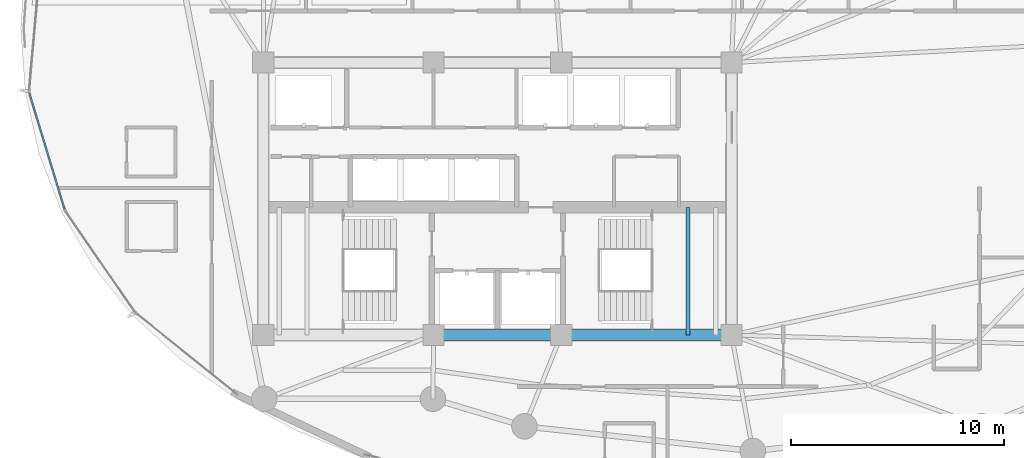
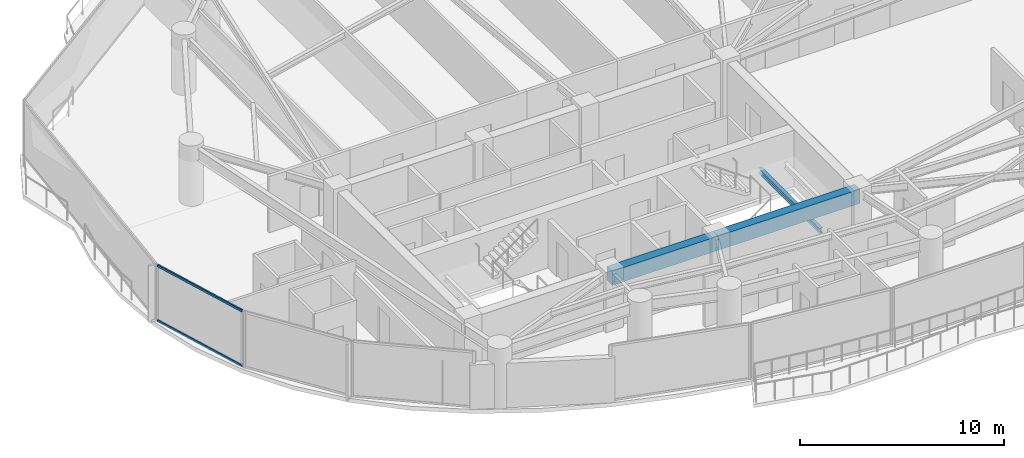
# One storey, part 7 of 33: 3 beams, 2 members, 1 element without a shape of its own.
"""IFC4 building model written with IfcOpenShell, lengths in metres."""

from ifc_helpers import new_model, si_unit, direction, frame, origin, origin_2d, place, context, subcontext, project, spatial, rectangle, hollow_rectangle, i_section, extrude, material, layer, layer_set, material_profile, profile_set, type_object, element, aggregate, save


model = new_model("IFC4")

# Units and contexts
model_context = context("Model", 3, precision=1e-05, world=origin(), true_north=direction((0.0, 1.0)))
body_context = subcontext(model_context, "Body", "Model", "MODEL_VIEW")
ifc_project = project(units=[si_unit("LENGTHUNIT", "METRE"), si_unit("AREAUNIT", "SQUARE_METRE"), si_unit("VOLUMEUNIT", "CUBIC_METRE"), si_unit("PLANEANGLEUNIT", "RADIAN"), si_unit("MASSUNIT", "GRAM", prefix="KILO")], contexts=[model_context])

# Site, building, storey
site_placement = place(None, origin())
site = spatial("IfcSite", under=ifc_project, at=site_placement, CompositionType="ELEMENT")
building_placement = place(site_placement, origin())
building = spatial("IfcBuilding", under=site, at=building_placement, Name="Kazevale Care Tower and Concert Hall", CompositionType="ELEMENT")
storey_placement = place(building_placement, frame((0.0, 0.0, 149.39990234375)))
storey = spatial("IfcBuildingStorey", under=building, at=storey_placement, Name="L39", CompositionType="ELEMENT", Elevation=149.39990234375)

# Curtain wall, members
ifc_material_1 = material(Name="Aluminium 6063-T6 and Low-E Glass", Category="aluminium")
ifc_layer = layer(ifc_material_1, 0.179931640625)
ifc_layer_set = layer_set([ifc_layer], Name="Aluminium 6063-T6 and Low-E Glass")
curtain_wall_type = type_object("IfcCurtainWallType", Name="Waist & Upper Residential Curtain Wall CW-4", PredefinedType="NOTDEFINED", material=ifc_layer_set)
curtain_wall_placement = place(storey_placement, origin())
curtain_wall = element("IfcCurtainWall", 1, at=curtain_wall_placement, inside=storey, type_object=curtain_wall_type, Name="cw:L39:f12", PredefinedType="NOTDEFINED")
ifc_material_2 = material(Name="Aluminium 6063-T6", Category="aluminium")
ifc_material_profile_1 = material_profile(ifc_material_2, hollow_rectangle(XDim=0.080078125, YDim=0.139892578125, WallThickness=0.00390625, at=origin_2d()), Name="ALU80x140x4")
ifc_profile_set_1 = profile_set([ifc_material_profile_1], Name="Aluminium 6063-T6")
member_type = type_object("IfcMemberType", Name="CW-4 Transom ALU80x140x4", PredefinedType="USERDEFINED", material=ifc_profile_set_1)
member_1_placement = place(storey_placement, frame((12.669677734375, 29.517578125, 0.0400390625), z_axis=(-0.290964759976, 0.956733770937, 0.0), x_axis=(-0.956733770937, -0.290964759976, 0.0)))
member_1 = element("IfcMember", 2, at=member_1_placement, type_object=member_type, Name="CW-4 transom 1.1", ObjectType="TRANSOM", PredefinedType="USERDEFINED", context=body_context, shape_type="SweptSolid", body=[
    extrude(hollow_rectangle(XDim=0.080078125, YDim=0.139892578125, WallThickness=0.00390625, at=origin_2d()), origin(), (0.0, 0.0, 1.0), 5.675537109375),
])
member_2_placement = place(storey_placement, frame((12.669677734375, 29.517578125, 3.320068359375), z_axis=(-0.290964759976, 0.956733770937, 0.0), x_axis=(-0.956733770937, -0.290964759976, 0.0)))
member_2 = element("IfcMember", 3, at=member_2_placement, type_object=member_type, Name="CW-4 transom 1.2", ObjectType="TRANSOM", PredefinedType="USERDEFINED", context=body_context, shape_type="SweptSolid", body=[
    extrude(hollow_rectangle(XDim=0.080078125, YDim=0.139892578125, WallThickness=0.00390625, at=origin_2d()), origin(), (0.0, 0.0, 1.0), 5.675537109375),
])
aggregate(curtain_wall, [member_1, member_2])

# Beams
ifc_material_3 = material(Name="Concrete C60", Category="concrete")
ifc_material_profile_2 = material_profile(ifc_material_3, rectangle(XDim=0.5, YDim=0.85009765625, at=origin_2d()), Name="RC-B500x850")
ifc_profile_set_2 = profile_set([ifc_material_profile_2], Name="Concrete C60")
beam_type_1 = type_object("IfcBeamType", Name="Core Coupling Beam RC500x850", PredefinedType="LINTEL", material=ifc_profile_set_2)
beam_1_placement = place(storey_placement, frame((30.0, 23.60009765625, 2.93505859375), z_axis=(1.0, 0.0, 0.0), x_axis=(0.0, 1.0, 0.0)))
element("IfcBeam", 4, at=beam_1_placement, inside=storey, type_object=beam_type_1, Name="beam:L39:coretie:2", PredefinedType="LINTEL", context=body_context, shape_type="SweptSolid", body=[
    extrude(rectangle(XDim=0.5, YDim=0.85009765625, at=origin_2d()), origin(), (0.0, 0.0, 1.0), 6.0),
])
beam_2_placement = place(storey_placement, frame((36.0, 23.60009765625, 2.93505859375), z_axis=(1.0, 0.0, 0.0), x_axis=(0.0, 1.0, 0.0)))
element("IfcBeam", 5, at=beam_2_placement, inside=storey, type_object=beam_type_1, Name="beam:L39:coretie:3", PredefinedType="LINTEL", context=body_context, shape_type="SweptSolid", body=[
    extrude(rectangle(XDim=0.5, YDim=0.85009765625, at=origin_2d()), origin(), (0.0, 0.0, 1.0), 8.0),
])
ifc_material_4 = material(Name="Steel ASTM A572 Gr 50", Category="steel")
ifc_material_profile_3 = material_profile(ifc_material_4, i_section(OverallWidth=0.202880859375, OverallDepth=0.302978515625, WebThickness=0.007568359375, FlangeThickness=0.01318359375, at=origin_2d()), Name="W310x60")
ifc_profile_set_3 = profile_set([ifc_material_profile_3], Name="Steel ASTM A572 Gr 50")
beam_type_2 = type_object("IfcBeamType", Name="Stair & Balcony Trimmer W310x60", PredefinedType="BEAM", material=ifc_profile_set_3)
beam_3_placement = place(storey_placement, frame((41.949951171875, 23.60009765625, 1.448486328125), z_axis=(0.0, 1.0, 0.0), x_axis=(-1.0, 0.0, 0.0)))
element("IfcBeam", 6, at=beam_3_placement, inside=storey, type_object=beam_type_2, Name="beam:L39:sttrim:ST2", PredefinedType="BEAM", context=body_context, shape_type="SweptSolid", body=[
    extrude(i_section(OverallWidth=0.202880859375, OverallDepth=0.302978515625, WebThickness=0.007568359375, FlangeThickness=0.01318359375, at=origin_2d()), origin(), (0.0, 0.0, 1.0), 6.0),
])

save(model, "model.ifc")
